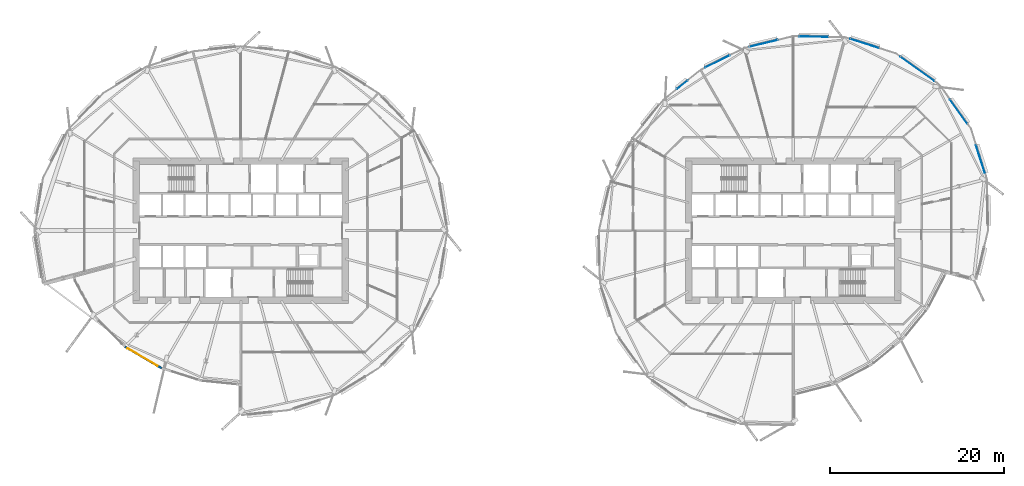
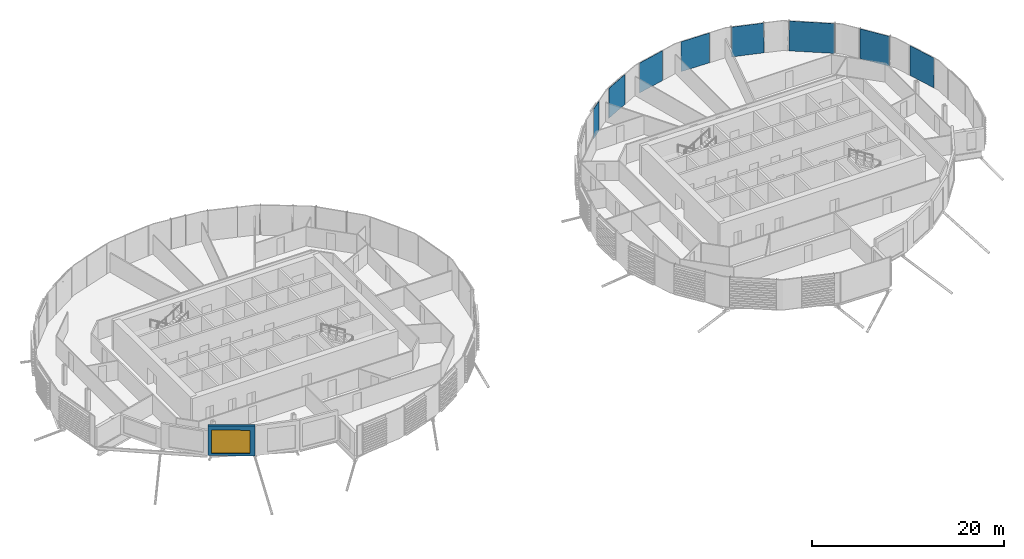
# One storey, part 21 of 42: 8 plates, 1 wall, 1 window, 1 opening, 1 element without a shape of its own.
"""IFC4 building model written with IfcOpenShell, lengths in metres."""

from ifc_helpers import new_model, si_unit, direction, frame, frame_2d, origin, origin_2d, place, context, subcontext, project, spatial, rectangle, extrude, material, layer, layer_set, type_object, element, fill, aggregate, save


model = new_model("IFC4")

# Units and contexts
model_context = context("Model", 3, precision=1e-05, world=origin(), true_north=direction((0.0, 1.0)))
body_context = subcontext(model_context, "Body", "Model", "MODEL_VIEW")
ifc_project = project(units=[si_unit("LENGTHUNIT", "METRE"), si_unit("AREAUNIT", "SQUARE_METRE"), si_unit("VOLUMEUNIT", "CUBIC_METRE"), si_unit("PLANEANGLEUNIT", "RADIAN"), si_unit("MASSUNIT", "GRAM", prefix="KILO")], contexts=[model_context])

# Site, building, storey
site_placement = place(None, origin())
site = spatial("IfcSite", under=ifc_project, at=site_placement, CompositionType="ELEMENT")
building_placement = place(site_placement, origin())
building = spatial("IfcBuilding", under=site, at=building_placement, Name="Rimbun Link Towers", CompositionType="ELEMENT")
storey_placement = place(building_placement, frame((0.0, 0.0, 85.39990234375)))
storey = spatial("IfcBuildingStorey", under=building, at=storey_placement, Name="L20", CompositionType="ELEMENT", Elevation=85.39990234375)

# Curtain wall, plates
ifc_material_1 = material(Name="Aluminium 6063-T6 and low-iron glass", Category="aluminium")
curtain_wall_type = type_object("IfcCurtainWallType", Name="CW1-Z2 unitised vision wall (zone 2)", PredefinedType="NOTDEFINED", material=ifc_material_1)
curtain_wall_placement = place(storey_placement, origin())
curtain_wall = element("IfcCurtainWall", 1, at=curtain_wall_placement, inside=storey, type_object=curtain_wall_type, Name="CW1 L20 T2", PredefinedType="NOTDEFINED")
ifc_material_2 = material(Name="Low-iron glass, laminated low-e unit", Category="glass")
ifc_layer_1 = layer(ifc_material_2, 0.028076171875)
ifc_layer_set_1 = layer_set([ifc_layer_1], Name="CW1 panel Low-iron glass 28")
plate_type = type_object("IfcPlateType", Name="CW1 panel Low-iron glass 28", PredefinedType="CURTAIN_PANEL", material=ifc_layer_set_1)
plate_1_placement = place(storey_placement, frame((45.995849609375, 18.5859375, 0.0), z_axis=(0.0, 0.0, 1.0), x_axis=(0.812469108412, -0.583004243446, 0.0)))
plate_1 = element("IfcPlate", 2, at=plate_1_placement, type_object=plate_type, Name="CW1 panel", PredefinedType="CURTAIN_PANEL", context=body_context, shape_type="SweptSolid", body=[
    extrude(rectangle(XDim=4.775634765625, YDim=0.028076171875, at=origin_2d()), origin(), (0.0, 0.0, 1.0), 3.800048828125),
])
plate_2_placement = place(storey_placement, frame((39.9384765625, 21.505615234375, 0.0), z_axis=(0.0, 0.0, 1.0), x_axis=(0.952968251743, -0.303070142328, 0.0)))
plate_2 = element("IfcPlate", 3, at=plate_2_placement, type_object=plate_type, Name="CW1 panel", PredefinedType="CURTAIN_PANEL", context=body_context, shape_type="SweptSolid", body=[
    extrude(rectangle(XDim=3.450439453125, YDim=0.028076171875, at=origin_2d()), origin(), (0.0, 0.0, 1.0), 3.800048828125),
])
plate_3_placement = place(storey_placement, frame((34.10009765625, 22.292724609375, 0.0), z_axis=(0.0, 0.0, 1.0), x_axis=(0.999778284552, -0.02105663171, 0.0)))
plate_3 = element("IfcPlate", 4, at=plate_3_placement, type_object=plate_type, Name="CW1 panel", PredefinedType="CURTAIN_PANEL", context=body_context, shape_type="SweptSolid", body=[
    extrude(rectangle(XDim=3.360595703125, YDim=0.028076171875, at=origin_2d()), origin(), (0.0, 0.0, 1.0), 3.800048828125),
])
plate_4_placement = place(storey_placement, frame((28.32763671875, 21.524169921875, 0.0), z_axis=(0.0, 0.0, 1.0), x_axis=(0.972576339867, 0.232583884072, 0.0)))
plate_4 = element("IfcPlate", 5, at=plate_4_placement, type_object=plate_type, Name="CW1 panel", PredefinedType="CURTAIN_PANEL", context=body_context, shape_type="SweptSolid", body=[
    extrude(rectangle(XDim=3.291259765625, YDim=0.028076171875, at=origin_2d()), origin(), (0.0, 0.0, 1.0), 3.800048828125),
])
plate_5_placement = place(storey_placement, frame((23.023681640625, 19.440673828125, 0.0), z_axis=(0.0, 0.0, 1.0), x_axis=(0.893637454336, 0.448789594585, 0.0)))
plate_5 = element("IfcPlate", 6, at=plate_5_placement, type_object=plate_type, Name="CW1 panel", PredefinedType="CURTAIN_PANEL", context=body_context, shape_type="SweptSolid", body=[
    extrude(rectangle(XDim=3.092041015625, YDim=0.028076171875, at=origin_2d()), origin(), (0.0, 0.0, 1.0), 3.800048828125),
])
plate_6_placement = place(storey_placement, frame((18.98828125, 16.76953125, 0.0), z_axis=(0.0, 0.0, 1.0), x_axis=(0.777276360608, 0.629159327388, 0.0)))
plate_6 = element("IfcPlate", 7, at=plate_6_placement, type_object=plate_type, Name="CW1 panel", PredefinedType="CURTAIN_PANEL", context=body_context, shape_type="SweptSolid", body=[
    extrude(rectangle(XDim=1.556396484375, YDim=0.028076171875, at=origin_2d()), origin(), (0.0, 0.0, 1.0), 3.800048828125),
])
plate_7_placement = place(storey_placement, frame((53.248046875, 8.212158203125, 0.0), z_axis=(0.0, 0.0, 1.0), x_axis=(0.303070142328, -0.952968251743, 0.0)))
plate_7 = element("IfcPlate", 8, at=plate_7_placement, type_object=plate_type, Name="CW1 panel", PredefinedType="CURTAIN_PANEL", context=body_context, shape_type="SweptSolid", body=[
    extrude(rectangle(XDim=3.400390625, YDim=0.028076171875, at=origin_2d()), origin(), (0.0, 0.0, 1.0), 3.800048828125),
])
plate_8_placement = place(storey_placement, frame((50.743896484375, 13.677001953125, 0.0), z_axis=(0.0, 0.0, 1.0), x_axis=(0.583004243446, -0.812469108412, 0.0)))
plate_8 = element("IfcPlate", 9, at=plate_8_placement, type_object=plate_type, Name="CW1 panel", PredefinedType="CURTAIN_PANEL", context=body_context, shape_type="SweptSolid", body=[
    extrude(rectangle(XDim=3.375732421875, YDim=0.028076171875, at=origin_2d()), origin(), (0.0, 0.0, 1.0), 3.800048828125),
])
aggregate(curtain_wall, [plate_1, plate_2, plate_3, plate_4, plate_5, plate_6, plate_7, plate_8])

# Wall, opening, window
ifc_material_3 = material(Name="Dark enamelled glass spandrel on insulated aluminium backpan", Category="aluminium")
ifc_layer_2 = layer(ifc_material_3, 0.25)
ifc_layer_set_2 = layer_set([ifc_layer_2], Name="CS dark enamelled spandrel wall 250")
wall_type = type_object("IfcWallType", Name="CS dark enamelled spandrel wall 250", PredefinedType="STANDARD", material=ifc_layer_set_2)
wall_placement = place(storey_placement, frame((-40.863037109375, -15.810791015625, 0.0), z_axis=(0.0, 0.0, 1.0), x_axis=(-0.862512671963, 0.506035463878, 0.0)))
wall = element("IfcWall", 10, at=wall_placement, inside=storey, type_object=wall_type, Name="Crease spandrel wall", PredefinedType="STANDARD", context=body_context, shape_type="SweptSolid", body=[
    extrude(rectangle(XDim=4.877685546875, YDim=0.25, at=frame_2d((2.43896484375, 0.0))), origin(), (0.0, 0.0, 1.0), 3.800048828125),
])
opening_placement = place(wall_placement, frame((0.534912109375, 0.0, 0.300048828125)))
opening = element("IfcOpeningElement", 11, at=opening_placement, cuts=wall, Name="Opening WR40H295", PredefinedType="OPENING", context=body_context, shape_type="SweptSolid", body=[
    extrude(rectangle(XDim=4.0, YDim=2.949951171875, at=frame_2d((2.0, 1.47509765625))), frame((0.0, 0.135009765625, 0.0), z_axis=(0.0, -1.0, 0.0), x_axis=(1.0, 0.0, 0.0)), (0.0, 0.0, 1.0), 0.27001953125),
])
ifc_material_4 = material(Name="Aluminium framed fixed window, dark tinted low-e glass", Category="aluminium")
window_type = type_object("IfcWindowType", Name="WR ribbon window 4000X2950", PartitioningType="SINGLE_PANEL", PredefinedType="WINDOW", material=ifc_material_4)
window_placement = place(opening_placement, origin())
window = element("IfcWindow", 12, at=window_placement, inside=storey, type_object=window_type, Name="Crease ribbon window", OverallHeight=2.949951171875, OverallWidth=4.0, PartitioningType="SINGLE_PANEL", PredefinedType="WINDOW", context=body_context, shape_type="SweptSolid", body=[
    extrude(rectangle(XDim=4.0, YDim=2.949951171875, at=frame_2d((2.0, 1.47509765625))), frame((0.0, 0.030029296875, 0.0), z_axis=(0.0, -1.0, 0.0), x_axis=(1.0, 0.0, 0.0)), (0.0, 0.0, 1.0), 0.06005859375),
])
fill(opening, window)

save(model, "model.ifc")
